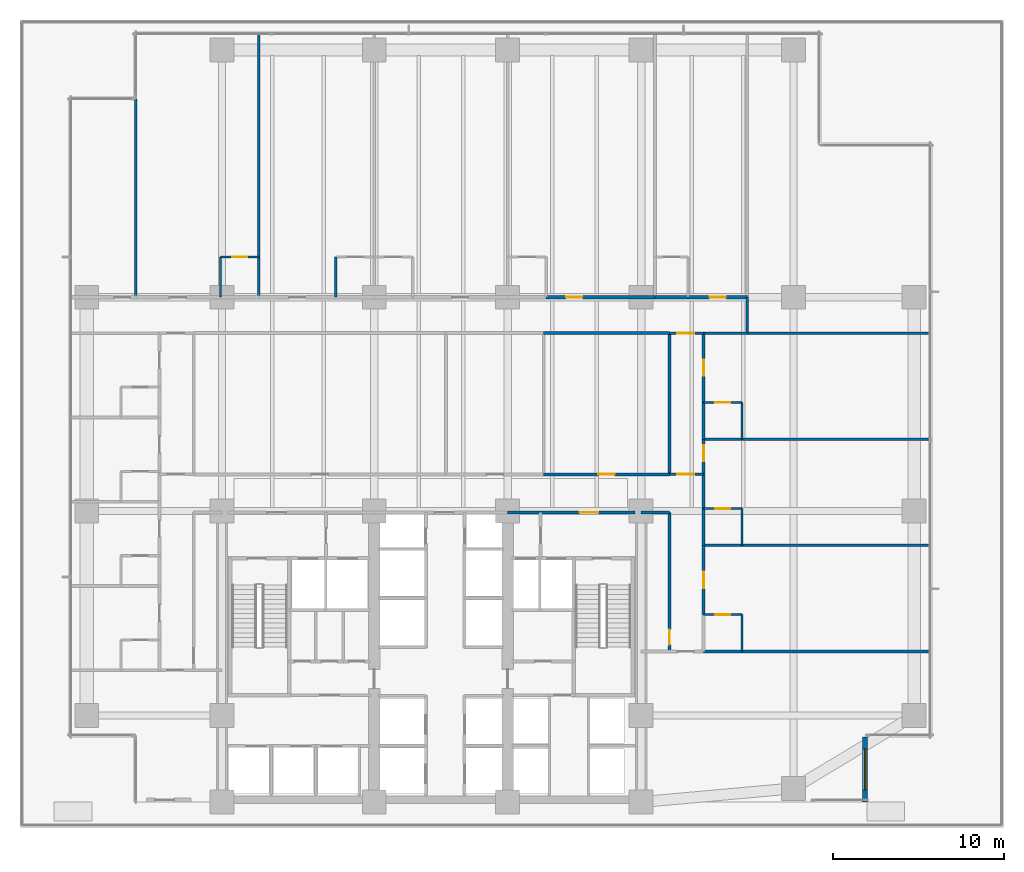
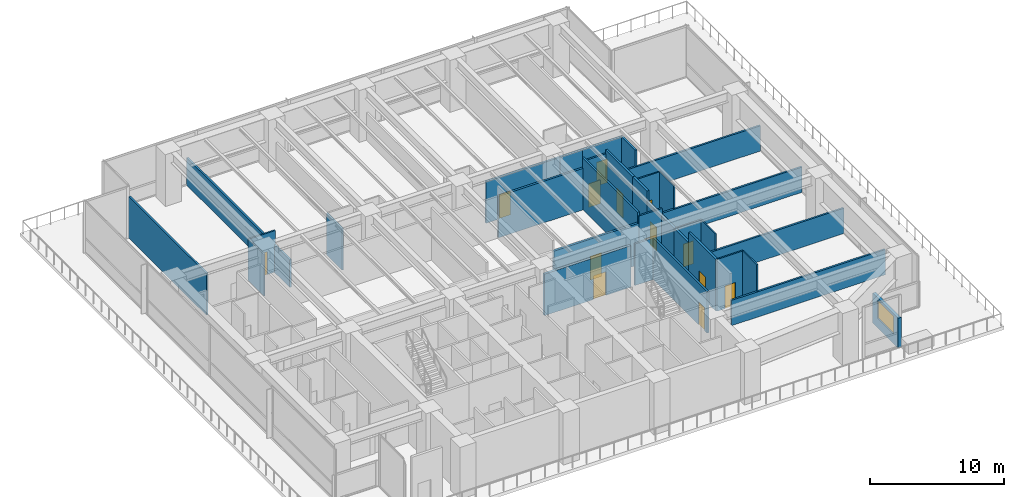
# One storey, part 10 of 19: 33 walls, 14 doors, 1 window, 15 openings.
"""IFC4 building model written with IfcOpenShell, lengths in metres."""

import ifcopenshell
import ifcopenshell.guid

model = None  # the IFC model being written
_history = None  # IfcOwnerHistory: only IFC2X3 demands one
_inside = {}  # id of a spatial element -> (the spatial element, [elements in it])
_under = {}  # id of a project, library or spatial element -> (it, [spatial elements below it])
_declared = {}  # id of a project -> (the project, [libraries it declares])
_typed = {}  # id of a type object -> (the type object, [elements of that type])
_made_of = {}  # id of a material, layer set ... -> (it, [elements and type objects made of it])


def new_model(schema):
    """Start an empty IFC model of exactly this schema.

    Asked for "IFC4X3", IfcOpenShell would pick the latest addendum, in which some entities
    have other attributes; the version numbers below select the first issue.
    IFC2X3 requires an IfcOwnerHistory on every rooted entity: one is made here for all.
    """
    global model, _history
    if schema == "IFC4X3":
        model = ifcopenshell.file(schema_version=(4, 3, 0, 0))
    else:
        model = ifcopenshell.file(schema=schema)
    _inside.clear()
    _under.clear()
    _declared.clear()
    _typed.clear()
    _made_of.clear()
    _history = None
    if model.schema == "IFC2X3":
        org = make("IfcOrganization", Name="unknown")
        user = make(
            "IfcPersonAndOrganization",
            ThePerson=make("IfcPerson", FamilyName="unknown"),
            TheOrganization=org,
        )
        app = make(
            "IfcApplication",
            ApplicationDeveloper=org,
            Version="unknown",
            ApplicationFullName="unknown",
            ApplicationIdentifier="unknown",
        )
        _history = make(
            "IfcOwnerHistory",
            OwningUser=user,
            OwningApplication=app,
            ChangeAction="ADDED",
            CreationDate=0,
        )
    return model


def make(cls, **values):
    """One entity of the class cls with the attributes given. An attribute that is None is left unset."""
    return model.create_entity(
        cls, **{name: value for name, value in values.items() if value is not None}
    )


def rooted(cls, **values):
    """An entity with a GlobalId (a new one), such as an element, a storey or a relation."""
    return make(cls, GlobalId=ifcopenshell.guid.new(), OwnerHistory=_history, **values)


def si_unit(unit_type, name, prefix=None):
    """IfcSIUnit, for example si_unit("LENGTHUNIT", "METRE", prefix="MILLI")."""
    return make("IfcSIUnit", UnitType=unit_type, Prefix=prefix, Name=name)


def assignment(units):
    """IfcUnitAssignment: the units of a project."""
    return None if units is None else make("IfcUnitAssignment", Units=units)


def point(xyz):
    """IfcCartesianPoint."""
    return None if xyz is None else make("IfcCartesianPoint", Coordinates=xyz)


def direction(xyz):
    """IfcDirection."""
    return None if xyz is None else make("IfcDirection", DirectionRatios=xyz)


def frame(location, z_axis=None, x_axis=None):
    """IfcAxis2Placement3D, a coordinate frame: its origin and axes. An axis left out is left unset."""
    return make(
        "IfcAxis2Placement3D",
        Location=point(location),
        Axis=direction(z_axis),
        RefDirection=direction(x_axis),
    )


def frame_2d(location, x_axis=None):
    """IfcAxis2Placement2D, a coordinate frame in the plane: its origin and x axis."""
    return make(
        "IfcAxis2Placement2D", Location=point(location), RefDirection=direction(x_axis)
    )


def origin():
    """The frame at (0, 0, 0) with its axes left unset."""
    return frame((0.0, 0.0, 0.0))


def place(relative_to, where):
    """IfcLocalPlacement: puts the frame where relative to a parent placement (None: the world)."""
    return make(
        "IfcLocalPlacement", PlacementRelTo=relative_to, RelativePlacement=where
    )


def context(
    kind, dimensions, precision=None, world=None, true_north=None, identifier=None
):
    """IfcGeometricRepresentationContext, for example the 3D "Model" context."""
    return make(
        "IfcGeometricRepresentationContext",
        ContextIdentifier=identifier,
        ContextType=kind,
        CoordinateSpaceDimension=dimensions,
        Precision=precision,
        WorldCoordinateSystem=world,
        TrueNorth=true_north,
    )


def subcontext(parent, identifier, kind, view, scale=None):
    """IfcGeometricRepresentationSubContext, for example "Body" below "Model"."""
    return make(
        "IfcGeometricRepresentationSubContext",
        ContextIdentifier=identifier,
        ContextType=kind,
        ParentContext=parent,
        TargetScale=scale,
        TargetView=view,
    )


def project(units=None, contexts=None):
    """IfcProject with its units and contexts."""
    return rooted(
        "IfcProject",
        Name="project",
        RepresentationContexts=contexts,
        UnitsInContext=assignment(units),
    )


def spatial(cls, under=None, at=None, **own):
    """A site, building, storey or space (cls), placed at a placement, below another one or the project."""
    s = rooted(cls, ObjectPlacement=at, **own)
    if under is not None:
        _under.setdefault(under.id(), (under, []))[1].append(s)
    return s


def profile(cls, at=None, kind="AREA", **sizes):
    """A parametric profile (cls). Its sizes go by their IFC names, for example OverallWidth=200.0."""
    return make(cls, ProfileType=kind, Position=at, **sizes)


def rectangle(**sizes):
    """IfcRectangleProfileDef."""
    return profile("IfcRectangleProfileDef", **sizes)


def extrude(swept, where, along, depth):
    """IfcExtrudedAreaSolid: the profile swept, set in the frame where, extruded along a direction by depth."""
    return make(
        "IfcExtrudedAreaSolid",
        SweptArea=swept,
        Position=where,
        ExtrudedDirection=direction(along),
        Depth=depth,
    )


def shape(context_of_items, identifier, shape_type, items):
    """IfcShapeRepresentation: the items that make up one representation, for example the "Body"."""
    return make(
        "IfcShapeRepresentation",
        ContextOfItems=context_of_items,
        RepresentationIdentifier=identifier,
        RepresentationType=shape_type,
        Items=items,
    )


def material(Name=None, Category=None):
    """IfcMaterial."""
    return make("IfcMaterial", Name=Name, Category=Category)


def layer(
    of_material, thickness, ventilated=None, Name=None, Category=None, Priority=None
):
    """IfcMaterialLayer: one layer of a wall or slab, of a material (None: an air gap)."""
    return make(
        "IfcMaterialLayer",
        Material=of_material,
        LayerThickness=thickness,
        IsVentilated=ventilated,
        Name=Name,
        Category=Category,
        Priority=Priority,
    )


def layer_set(layers, Name=None):
    """IfcMaterialLayerSet."""
    return make("IfcMaterialLayerSet", MaterialLayers=layers, LayerSetName=Name)


def made_of(thing, what):
    """Note that an element or type object is made of a material, layer set ...; save() writes the relation."""
    if what is not None:
        _made_of.setdefault(what.id(), (what, []))[1].append(thing)
    return thing


def type_object(cls, material=None, **own):
    """A type object (cls), such as IfcWallType, which elements share."""
    return made_of(rooted(cls, **own), material)


def element(
    cls,
    number,
    at=None,
    inside=None,
    cuts=None,
    type_object=None,
    material=None,
    context=None,
    identifier="Body",
    shape_type=None,
    held_by="IfcProductDefinitionShape",
    body=None,
    shapes=None,
    **own,
):
    """One element of the class cls, such as IfcWall. Its Tag is "e" and its number.

    at: its placement. inside: the storey or other place that contains it. cuts: it is an
    opening in that element (IfcRelVoidsElement). A single representation is given by context,
    identifier, shape_type and body (its items); several are given by shapes. held_by: the class
    of the entity that holds the representations. save() writes the other relations.
    """
    e = rooted(cls, Tag="e%d" % number, ObjectPlacement=at, **own)
    if body is not None:
        shapes = [shape(context, identifier, shape_type, body)]
    if shapes is not None:
        e.Representation = make(held_by, Representations=shapes)
    if inside is not None:
        _inside.setdefault(inside.id(), (inside, []))[1].append(e)
    if cuts is not None:
        rooted(
            "IfcRelVoidsElement", RelatingBuildingElement=cuts, RelatedOpeningElement=e
        )
    if type_object is not None:
        _typed.setdefault(type_object.id(), (type_object, []))[1].append(e)
    return made_of(e, material)


def fill(opening, filler):
    """IfcRelFillsElement: the door or window that sits in an opening."""
    return rooted(
        "IfcRelFillsElement",
        RelatingOpeningElement=opening,
        RelatedBuildingElement=filler,
    )


def aggregate(whole, parts):
    """IfcRelAggregates: a whole, such as a stair, and the parts it consists of."""
    return rooted("IfcRelAggregates", RelatingObject=whole, RelatedObjects=parts)


def save(model, path):
    """Write the relations noted so far, then the file.

    IfcRelAggregates (storeys below a building ...), IfcRelContainedInSpatialStructure (elements
    in a storey), IfcRelDefinesByType, IfcRelAssociatesMaterial and IfcRelDeclares: one each for
    every whole, place, type object, material and project.
    """
    for whole, parts in _under.values():
        aggregate(whole, parts)
    for where, things in _inside.values():
        rooted(
            "IfcRelContainedInSpatialStructure",
            RelatedElements=things,
            RelatingStructure=where,
        )
    for kind, things in _typed.values():
        rooted("IfcRelDefinesByType", RelatedObjects=things, RelatingType=kind)
    for what, things in _made_of.values():
        rooted("IfcRelAssociatesMaterial", RelatedObjects=things, RelatingMaterial=what)
    for by, libraries in _declared.values():
        rooted("IfcRelDeclares", RelatingContext=by, RelatedDefinitions=libraries)
    model.write(path)


model = new_model("IFC4")

# Units and contexts
model_context = context("Model", 3, precision=1e-05, world=origin(), true_north=direction((0.0, 1.0)))
body_context = subcontext(model_context, "Body", "Model", "MODEL_VIEW")
ifc_project = project(units=[si_unit("LENGTHUNIT", "METRE"), si_unit("AREAUNIT", "SQUARE_METRE"), si_unit("VOLUMEUNIT", "CUBIC_METRE"), si_unit("PLANEANGLEUNIT", "RADIAN"), si_unit("MASSUNIT", "GRAM", prefix="KILO")], contexts=[model_context])

# Site, building, storey
site_placement = place(None, origin())
site = spatial("IfcSite", under=ifc_project, at=site_placement, CompositionType="ELEMENT")
building_placement = place(site_placement, origin())
building = spatial("IfcBuilding", under=site, at=building_placement, Name="Qalmaran Belvedere Hotel", CompositionType="ELEMENT")
storey_placement = place(building_placement, frame((0.0, 0.0, 28.39990234375)))
storey = spatial("IfcBuildingStorey", under=building, at=storey_placement, Name="L06", CompositionType="ELEMENT", Elevation=28.39990234375)

# Wall, opening, window
ifc_material_1 = material(Name="Anodised Bronze Cladding")
ifc_layer_1 = layer(ifc_material_1, 0.280029296875, Name="Anodised Bronze Cladding")
ifc_layer_set_1 = layer_set([ifc_layer_1], Name="Anodised Bronze Cladding")
wall_type_1 = type_object("IfcWallType", Name="WL-EXT-BRNZ-280", PredefinedType="SOLIDWALL", material=ifc_layer_set_1)
wall_1_placement = place(storey_placement, frame((57.8798828125, 3.5, 0.0), z_axis=(0.0, 0.0, 1.0), x_axis=(0.0, 1.0, 0.0)))
wall_1 = element("IfcWall", 1, at=wall_1_placement, inside=storey, type_object=wall_type_1, Name="L06 Corner Notch Wall 1", PredefinedType="SOLIDWALL", context=body_context, shape_type="SweptSolid", body=[
    extrude(rectangle(XDim=3.800048828125, YDim=0.280029296875, at=frame_2d((1.89990234375, 0.0))), origin(), (0.0, 0.0, 1.0), 2.705078125),
])
opening_1_placement = place(wall_1_placement, frame((0.699951171875, 0.0, 0.85009765625)))
opening_1 = element("IfcOpeningElement", 2, at=opening_1_placement, cuts=wall_1, Name="Opening W-N24", PredefinedType="OPENING", context=body_context, shape_type="SweptSolid", body=[
    extrude(rectangle(XDim=2.39990234375, YDim=1.64990234375, at=frame_2d((1.199951171875, 0.824951171875))), frame((0.0, 0.14990234375, 0.0), z_axis=(0.0, -1.0, 0.0), x_axis=(1.0, 0.0, 0.0)), (0.0, 0.0, 1.0), 0.300048828125),
])
ifc_material_2 = material(Name="Solar-Control Double Glazing", Category="glass")
window_type = type_object("IfcWindowType", Name="WN-NTC-2400X1650", PartitioningType="SINGLE_PANEL", PredefinedType="WINDOW", material=ifc_material_2)
window_placement = place(opening_1_placement, origin())
window = element("IfcWindow", 3, at=window_placement, inside=storey, type_object=window_type, Name="L06 Corner Notch Window 1", OverallHeight=1.64990234375, OverallWidth=2.39990234375, PartitioningType="SINGLE_PANEL", PredefinedType="WINDOW", context=body_context, shape_type="SweptSolid", body=[
    extrude(rectangle(XDim=2.39990234375, YDim=1.64990234375, at=frame_2d((1.199951171875, 0.824951171875))), frame((0.0, 0.030029296875, 0.0), z_axis=(0.0, -1.0, 0.0), x_axis=(1.0, 0.0, 0.0)), (0.0, 0.0, 1.0), 0.06005859375),
])
fill(opening_1, window)

# Wall, opening, door
ifc_material_3 = material(Name="Moisture-Resistant Gypsum")
ifc_layer_2 = layer(ifc_material_3, 0.1201171875, Name="Moisture-Resistant Gypsum")
ifc_layer_set_2 = layer_set([ifc_layer_2], Name="Moisture-Resistant Gypsum")
wall_type_2 = type_object("IfcWallType", Name="WL-INT-120-BATH", PredefinedType="PARTITIONING", material=ifc_layer_set_2)
wall_2_placement = place(storey_placement, frame((20.203857421875, 35.35009765625, 0.0), z_axis=(0.0, 0.0, 1.0), x_axis=(1.0, 0.0, 0.0)))
wall_2 = element("IfcWall", 4, at=wall_2_placement, inside=storey, type_object=wall_type_2, Name="L06 Partition WL-L06-NBN00", PredefinedType="PARTITIONING", context=body_context, shape_type="SweptSolid", body=[
    extrude(rectangle(XDim=2.25, YDim=0.1201171875, at=frame_2d((1.125, 0.0))), origin(), (0.0, 0.0, 1.0), 3.7841796875),
])
opening_2_placement = place(wall_2_placement, frame((1.56494140625, 0.0, 0.0), z_axis=(0.0, 0.0, 1.0), x_axis=(-1.0, 0.0, 0.0)))
opening_2 = element("IfcOpeningElement", 5, at=opening_2_placement, cuts=wall_2, Name="Opening D-BATH", PredefinedType="OPENING", context=body_context, shape_type="SweptSolid", body=[
    extrude(rectangle(XDim=0.8798828125, YDim=2.080078125, at=frame_2d((0.43994140625, 1.0400390625))), frame((0.0, 0.070068359375, 0.0), z_axis=(0.0, -1.0, 0.0), x_axis=(1.0, 0.0, 0.0)), (0.0, 0.0, 1.0), 0.14013671875),
])
ifc_material_4 = material(Name="Engineered Oak Veneer")
door_type_1 = type_object("IfcDoorType", Name="DR-INT-BATH-880X2080", OperationType="NOTDEFINED", PredefinedType="DOOR", material=ifc_material_4)
door_1_placement = place(opening_2_placement, origin())
door_1 = element("IfcDoor", 6, at=door_1_placement, inside=storey, type_object=door_type_1, Name="L06 Ensuite Bathroom Door N01", OperationType="SINGLE_SWING_LEFT", OverallHeight=2.080078125, OverallWidth=0.8798828125, PredefinedType="DOOR", context=body_context, shape_type="SweptSolid", body=[
    extrude(rectangle(XDim=0.8798828125, YDim=2.080078125, at=frame_2d((0.43994140625, 1.0400390625))), frame((0.0, 0.02490234375, 0.0), z_axis=(0.0, -1.0, 0.0), x_axis=(1.0, 0.0, 0.0)), (0.0, 0.0, 1.0), 0.050048828125),
])
fill(opening_2, door_1)

# Walls
for number, where, z_axis, x_axis, name in (
    (7, (20.203857421875, 33.0, 0.0), (0.0, 0.0, 1.0), (0.0, 1.0, 0.0), "L06 Partition WL-L06-NBS00"),
    (8, (26.949951171875, 33.0, 0.0), (0.0, 0.0, 1.0), (0.0, 1.0, 0.0), "L06 Partition WL-L06-NBS01"),
):
    element("IfcWall", number, at=place(storey_placement, frame(where, z_axis=z_axis, x_axis=x_axis)), inside=storey, type_object=wall_type_2, Name=name, PredefinedType="PARTITIONING", context=body_context, shape_type="SweptSolid", body=[
        extrude(rectangle(XDim=2.35009765625, YDim=0.1201171875, at=frame_2d((1.175048828125, 0.0))), origin(), (0.0, 0.0, 1.0), 3.7841796875),
    ])

# Wall, opening, door
wall_3_placement = place(storey_placement, frame((48.449951171875, 14.449951171875, 0.0), z_axis=(0.0, 0.0, 1.0), x_axis=(1.0, 0.0, 0.0)))
wall_3 = element("IfcWall", 9, at=wall_3_placement, inside=storey, type_object=wall_type_2, Name="L06 Partition WL-L06-EBN00", PredefinedType="PARTITIONING", context=body_context, shape_type="SweptSolid", body=[
    extrude(rectangle(XDim=2.25, YDim=0.1201171875, at=frame_2d((1.125, 0.0))), origin(), (0.0, 0.0, 1.0), 4.72021484375),
])
opening_3_placement = place(wall_3_placement, frame((1.56494140625, 0.0, 0.0), z_axis=(0.0, 0.0, 1.0), x_axis=(-1.0, 0.0, 0.0)))
opening_3 = element("IfcOpeningElement", 10, at=opening_3_placement, cuts=wall_3, Name="Opening D-BATH", PredefinedType="OPENING", context=body_context, shape_type="SweptSolid", body=[
    extrude(rectangle(XDim=0.8798828125, YDim=2.080078125, at=frame_2d((0.43994140625, 1.0400390625))), frame((0.0, 0.070068359375, 0.0), z_axis=(0.0, -1.0, 0.0), x_axis=(1.0, 0.0, 0.0)), (0.0, 0.0, 1.0), 0.14013671875),
])
door_2_placement = place(opening_3_placement, origin())
door_2 = element("IfcDoor", 11, at=door_2_placement, inside=storey, type_object=door_type_1, Name="L06 E Ensuite Door 01", OperationType="SINGLE_SWING_LEFT", OverallHeight=2.080078125, OverallWidth=0.8798828125, PredefinedType="DOOR", context=body_context, shape_type="SweptSolid", body=[
    extrude(rectangle(XDim=0.8798828125, YDim=2.080078125, at=frame_2d((0.43994140625, 1.0400390625))), frame((0.0, 0.02490234375, 0.0), z_axis=(0.0, -1.0, 0.0), x_axis=(1.0, 0.0, 0.0)), (0.0, 0.0, 1.0), 0.050048828125),
])
fill(opening_3, door_2)

# Wall
wall_4_placement = place(storey_placement, frame((50.699951171875, 12.300048828125, 0.0), z_axis=(0.0, 0.0, 1.0), x_axis=(0.0, 1.0, 0.0)))
element("IfcWall", 12, at=wall_4_placement, inside=storey, type_object=wall_type_2, Name="L06 Partition WL-L06-EBS00", PredefinedType="PARTITIONING", context=body_context, shape_type="SweptSolid", body=[
    extrude(rectangle(XDim=2.14990234375, YDim=0.1201171875, at=frame_2d((1.074951171875, 0.0))), origin(), (0.0, 0.0, 1.0), 4.72021484375),
])

# Wall, opening, door
wall_5_placement = place(storey_placement, frame((48.449951171875, 20.64990234375, 0.0), z_axis=(0.0, 0.0, 1.0), x_axis=(1.0, 0.0, 0.0)))
wall_5 = element("IfcWall", 13, at=wall_5_placement, inside=storey, type_object=wall_type_2, Name="L06 Partition WL-L06-EBN01", PredefinedType="PARTITIONING", context=body_context, shape_type="SweptSolid", body=[
    extrude(rectangle(XDim=2.25, YDim=0.1201171875, at=frame_2d((1.125, 0.0))), origin(), (0.0, 0.0, 1.0), 3.7841796875),
])
opening_4_placement = place(wall_5_placement, frame((1.56494140625, 0.0, 0.0), z_axis=(0.0, 0.0, 1.0), x_axis=(-1.0, 0.0, 0.0)))
opening_4 = element("IfcOpeningElement", 14, at=opening_4_placement, cuts=wall_5, Name="Opening D-BATH", PredefinedType="OPENING", context=body_context, shape_type="SweptSolid", body=[
    extrude(rectangle(XDim=0.8798828125, YDim=2.080078125, at=frame_2d((0.43994140625, 1.0400390625))), frame((0.0, 0.070068359375, 0.0), z_axis=(0.0, -1.0, 0.0), x_axis=(1.0, 0.0, 0.0)), (0.0, 0.0, 1.0), 0.14013671875),
])
door_3_placement = place(opening_4_placement, origin())
door_3 = element("IfcDoor", 15, at=door_3_placement, inside=storey, type_object=door_type_1, Name="L06 E Ensuite Door 02", OperationType="SINGLE_SWING_LEFT", OverallHeight=2.080078125, OverallWidth=0.8798828125, PredefinedType="DOOR", context=body_context, shape_type="SweptSolid", body=[
    extrude(rectangle(XDim=0.8798828125, YDim=2.080078125, at=frame_2d((0.43994140625, 1.0400390625))), frame((0.0, 0.02490234375, 0.0), z_axis=(0.0, -1.0, 0.0), x_axis=(1.0, 0.0, 0.0)), (0.0, 0.0, 1.0), 0.050048828125),
])
fill(opening_4, door_3)

# Wall
wall_6_placement = place(storey_placement, frame((50.699951171875, 18.5, 0.0), z_axis=(0.0, 0.0, 1.0), x_axis=(0.0, 1.0, 0.0)))
element("IfcWall", 16, at=wall_6_placement, inside=storey, type_object=wall_type_2, Name="L06 Partition WL-L06-EBS01", PredefinedType="PARTITIONING", context=body_context, shape_type="SweptSolid", body=[
    extrude(rectangle(XDim=2.14990234375, YDim=0.1201171875, at=frame_2d((1.074951171875, 0.0))), origin(), (0.0, 0.0, 1.0), 3.7841796875),
])

# Wall, opening, door
wall_7_placement = place(storey_placement, frame((48.449951171875, 26.85009765625, 0.0), z_axis=(0.0, 0.0, 1.0), x_axis=(1.0, 0.0, 0.0)))
wall_7 = element("IfcWall", 17, at=wall_7_placement, inside=storey, type_object=wall_type_2, Name="L06 Partition WL-L06-EBN02", PredefinedType="PARTITIONING", context=body_context, shape_type="SweptSolid", body=[
    extrude(rectangle(XDim=2.25, YDim=0.1201171875, at=frame_2d((1.125, 0.0))), origin(), (0.0, 0.0, 1.0), 4.402099609375),
])
opening_5_placement = place(wall_7_placement, frame((1.56494140625, 0.0, 0.0), z_axis=(0.0, 0.0, 1.0), x_axis=(-1.0, 0.0, 0.0)))
opening_5 = element("IfcOpeningElement", 18, at=opening_5_placement, cuts=wall_7, Name="Opening D-BATH", PredefinedType="OPENING", context=body_context, shape_type="SweptSolid", body=[
    extrude(rectangle(XDim=0.8798828125, YDim=2.080078125, at=frame_2d((0.43994140625, 1.0400390625))), frame((0.0, 0.070068359375, 0.0), z_axis=(0.0, -1.0, 0.0), x_axis=(1.0, 0.0, 0.0)), (0.0, 0.0, 1.0), 0.14013671875),
])
door_4_placement = place(opening_5_placement, origin())
door_4 = element("IfcDoor", 19, at=door_4_placement, inside=storey, type_object=door_type_1, Name="L06 E Ensuite Door 03", OperationType="SINGLE_SWING_LEFT", OverallHeight=2.080078125, OverallWidth=0.8798828125, PredefinedType="DOOR", context=body_context, shape_type="SweptSolid", body=[
    extrude(rectangle(XDim=0.8798828125, YDim=2.080078125, at=frame_2d((0.43994140625, 1.0400390625))), frame((0.0, 0.02490234375, 0.0), z_axis=(0.0, -1.0, 0.0), x_axis=(1.0, 0.0, 0.0)), (0.0, 0.0, 1.0), 0.050048828125),
])
fill(opening_5, door_4)

# Wall
wall_8_placement = place(storey_placement, frame((50.699951171875, 24.699951171875, 0.0), z_axis=(0.0, 0.0, 1.0), x_axis=(0.0, 1.0, 0.0)))
element("IfcWall", 20, at=wall_8_placement, inside=storey, type_object=wall_type_2, Name="L06 Partition WL-L06-EBS02", PredefinedType="PARTITIONING", context=body_context, shape_type="SweptSolid", body=[
    extrude(rectangle(XDim=2.150146484375, YDim=0.1201171875, at=frame_2d((1.0751953125, 0.0))), origin(), (0.0, 0.0, 1.0), 4.402099609375),
])

# Wall, opening, door
ifc_material_5 = material(Name="Gypsum Stud Partition")
ifc_layer_3 = layer(ifc_material_5, 0.14990234375, Name="Gypsum Stud Partition")
ifc_layer_set_3 = layer_set([ifc_layer_3], Name="Gypsum Stud Partition")
wall_type_3 = type_object("IfcWallType", Name="WL-INT-150-EI60", PredefinedType="PARTITIONING", material=ifc_layer_set_3)
wall_9_placement = place(storey_placement, frame((46.449951171875, 22.64990234375, 0.0), z_axis=(0.0, 0.0, 1.0), x_axis=(1.0, 0.0, 0.0)))
wall_9 = element("IfcWall", 21, at=wall_9_placement, inside=storey, type_object=wall_type_3, Name="L06 Partition WL-L06-XCE1", PredefinedType="PARTITIONING", context=body_context, shape_type="SweptSolid", body=[
    extrude(rectangle(XDim=2.0, YDim=0.14990234375, at=frame_2d((1.0, 0.0))), origin(), (0.0, 0.0, 1.0), 4.402099609375),
])
opening_6_placement = place(wall_9_placement, frame((0.449951171875, 0.0, 0.0)))
opening_6 = element("IfcOpeningElement", 22, at=opening_6_placement, cuts=wall_9, Name="Opening FD90B", PredefinedType="OPENING", context=body_context, shape_type="SweptSolid", body=[
    extrude(rectangle(XDim=1.0, YDim=2.14990234375, at=frame_2d((0.5, 1.074951171875))), frame((0.0, 0.0849609375, 0.0), z_axis=(0.0, -1.0, 0.0), x_axis=(1.0, 0.0, 0.0)), (0.0, 0.0, 1.0), 0.169921875),
])
ifc_material_6 = material(Name="Steel S355JR", Category="steel")
door_type_2 = type_object("IfcDoorType", Name="DR-FD90B-1000X2150", OperationType="NOTDEFINED", PredefinedType="DOOR", material=ifc_material_6)
door_5_placement = place(opening_6_placement, origin())
door_5 = element("IfcDoor", 23, at=door_5_placement, inside=storey, type_object=door_type_2, Name="L06 East Corridor Smoke Door S", OperationType="SINGLE_SWING_RIGHT", OverallHeight=2.14990234375, OverallWidth=1.0, PredefinedType="DOOR", context=body_context, shape_type="SweptSolid", body=[
    extrude(rectangle(XDim=1.0, YDim=2.14990234375, at=frame_2d((0.5, 1.074951171875))), frame((0.0, 0.02490234375, 0.0), z_axis=(0.0, -1.0, 0.0), x_axis=(1.0, 0.0, 0.0)), (0.0, 0.0, 1.0), 0.050048828125),
])
fill(opening_6, door_5)

wall_10_placement = place(storey_placement, frame((46.449951171875, 30.89990234375, 0.0), z_axis=(0.0, 0.0, 1.0), x_axis=(1.0, 0.0, 0.0)))
wall_10 = element("IfcWall", 24, at=wall_10_placement, inside=storey, type_object=wall_type_3, Name="L06 Partition WL-L06-XCE2", PredefinedType="PARTITIONING", context=body_context, shape_type="SweptSolid", body=[
    extrude(rectangle(XDim=2.0, YDim=0.14990234375, at=frame_2d((1.0, 0.0))), origin(), (0.0, 0.0, 1.0), 4.402099609375),
])
opening_7_placement = place(wall_10_placement, frame((0.449951171875, 0.0, 0.0)))
opening_7 = element("IfcOpeningElement", 25, at=opening_7_placement, cuts=wall_10, Name="Opening FD90B", PredefinedType="OPENING", context=body_context, shape_type="SweptSolid", body=[
    extrude(rectangle(XDim=1.0, YDim=2.14990234375, at=frame_2d((0.5, 1.074951171875))), frame((0.0, 0.0849609375, 0.0), z_axis=(0.0, -1.0, 0.0), x_axis=(1.0, 0.0, 0.0)), (0.0, 0.0, 1.0), 0.169921875),
])
door_6_placement = place(opening_7_placement, origin())
door_6 = element("IfcDoor", 26, at=door_6_placement, inside=storey, type_object=door_type_2, Name="L06 East Corridor Smoke Door N", OperationType="SINGLE_SWING_LEFT", OverallHeight=2.14990234375, OverallWidth=1.0, PredefinedType="DOOR", context=body_context, shape_type="SweptSolid", body=[
    extrude(rectangle(XDim=1.0, YDim=2.14990234375, at=frame_2d((0.5, 1.074951171875))), frame((0.0, 0.02490234375, 0.0), z_axis=(0.0, -1.0, 0.0), x_axis=(1.0, 0.0, 0.0)), (0.0, 0.0, 1.0), 0.050048828125),
])
fill(opening_7, door_6)

ifc_layer_4 = layer(ifc_material_5, 0.159912109375, Name="Gypsum Stud Partition")
ifc_layer_set_4 = layer_set([ifc_layer_4], Name="Gypsum Stud Partition")
wall_type_4 = type_object("IfcWallType", Name="WL-INT-160-EI60", PredefinedType="PARTITIONING", material=ifc_layer_set_4)
wall_11_placement = place(storey_placement, frame((46.449951171875, 12.300048828125, 0.0), z_axis=(0.0, 0.0, 1.0), x_axis=(0.0, 1.0, 0.0)))
wall_11 = element("IfcWall", 27, at=wall_11_placement, inside=storey, type_object=wall_type_4, Name="L06 Partition WL-L06-ECL", PredefinedType="PARTITIONING", context=body_context, shape_type="SweptSolid", body=[
    extrude(rectangle(XDim=8.119873046875, YDim=0.159912109375, at=frame_2d((4.06005859375, 0.0))), origin(), (0.0, 0.0, 1.0), 3.7841796875),
])
opening_8_placement = place(wall_11_placement, frame((0.39990234375, 0.0, 0.0)))
opening_8 = element("IfcOpeningElement", 28, at=opening_8_placement, cuts=wall_11, Name="Opening FD60B", PredefinedType="OPENING", context=body_context, shape_type="SweptSolid", body=[
    extrude(rectangle(XDim=0.8798828125, YDim=2.080078125, at=frame_2d((0.43994140625, 1.0400390625))), frame((0.0, 0.08984375, 0.0), z_axis=(0.0, -1.0, 0.0), x_axis=(1.0, 0.0, 0.0)), (0.0, 0.0, 1.0), 0.179931640625),
])
door_type_3 = type_object("IfcDoorType", Name="DR-FD60B-880X2080", OperationType="NOTDEFINED", PredefinedType="DOOR", material=ifc_material_6)
door_7_placement = place(opening_8_placement, origin())
door_7 = element("IfcDoor", 29, at=door_7_placement, inside=storey, type_object=door_type_3, Name="L06 East Closet Door", OperationType="SINGLE_SWING_LEFT", OverallHeight=2.080078125, OverallWidth=0.8798828125, PredefinedType="DOOR", context=body_context, shape_type="SweptSolid", body=[
    extrude(rectangle(XDim=0.8798828125, YDim=2.080078125, at=frame_2d((0.43994140625, 1.0400390625))), frame((0.0, 0.02490234375, 0.0), z_axis=(0.0, -1.0, 0.0), x_axis=(1.0, 0.0, 0.0)), (0.0, 0.0, 1.0), 0.050048828125),
])
fill(opening_8, door_7)

# Walls
wall_12_placement = place(storey_placement, frame((44.800048828125, 20.419921875, 0.0), z_axis=(0.0, 0.0, 1.0), x_axis=(1.0, 0.0, 0.0)))
element("IfcWall", 30, at=wall_12_placement, inside=storey, type_object=wall_type_4, Name="L06 Partition WL-L06-ECLN", PredefinedType="PARTITIONING", context=body_context, shape_type="SweptSolid", body=[
    extrude(rectangle(XDim=1.64990234375, YDim=0.159912109375, at=frame_2d((0.824951171875, 0.0))), origin(), (0.0, 0.0, 1.0), 3.7841796875),
])
wall_13_placement = place(storey_placement, frame((51.0, 30.89990234375, 0.0), z_axis=(0.0, 0.0, 1.0), x_axis=(0.0, 1.0, 0.0)))
element("IfcWall", 31, at=wall_13_placement, inside=storey, type_object=wall_type_4, Name="L06 Partition WL-L06-NCGE", PredefinedType="PARTITIONING", context=body_context, shape_type="SweptSolid", body=[
    extrude(rectangle(XDim=2.10009765625, YDim=0.159912109375, at=frame_2d((1.050048828125, 0.0))), origin(), (0.0, 0.0, 1.0), 3.7841796875),
])
wall_14_placement = place(storey_placement, frame((46.449951171875, 22.64990234375, 0.0), z_axis=(0.0, 0.0, 1.0), x_axis=(0.0, 1.0, 0.0)))
element("IfcWall", 32, at=wall_14_placement, inside=storey, type_object=wall_type_4, Name="L06 Partition WL-L06-MIDVR3", PredefinedType="PARTITIONING", context=body_context, shape_type="SweptSolid", body=[
    extrude(rectangle(XDim=8.25, YDim=0.159912109375, at=frame_2d((4.125, 0.0))), origin(), (0.0, 0.0, 1.0), 4.72021484375),
])
wall_15_placement = place(storey_placement, frame((15.27001953125, 33.0, 0.0), z_axis=(0.0, 0.0, 1.0), x_axis=(0.0, 1.0, 0.0)))
element("IfcWall", 33, at=wall_15_placement, inside=storey, type_object=wall_type_4, Name="L06 Partition WL-L06-NUL", PredefinedType="PARTITIONING", context=body_context, shape_type="SweptSolid", body=[
    extrude(rectangle(XDim=11.580078125, YDim=0.159912109375, at=frame_2d((5.7900390625, 0.0))), origin(), (0.0, 0.0, 1.0), 3.7841796875),
])
wall_16_placement = place(storey_placement, frame((22.453857421875, 33.0, 0.0), z_axis=(0.0, 0.0, 1.0), x_axis=(0.0, 1.0, 0.0)))
element("IfcWall", 34, at=wall_16_placement, inside=storey, type_object=wall_type_4, Name="L06 Partition WL-L06-NUR00", PredefinedType="PARTITIONING", context=body_context, shape_type="SweptSolid", body=[
    extrude(rectangle(XDim=15.3798828125, YDim=0.159912109375, at=frame_2d((7.68994140625, 0.0))), origin(), (0.0, 0.0, 1.0), 2.505126953125),
])
for number, where, z_axis, x_axis, name in (
    (35, (48.449951171875, 12.300048828125, 0.0), (0.0, 0.0, 1.0), (1.0, 0.0, 0.0), "L06 Partition WL-L06-EBOT"),
    (36, (48.449951171875, 18.5, 0.0), (0.0, 0.0, 1.0), (1.0, 0.0, 0.0), "L06 Partition WL-L06-EU00"),
    (37, (48.449951171875, 24.699951171875, 0.0), (0.0, 0.0, 1.0), (1.0, 0.0, 0.0), "L06 Partition WL-L06-EU01"),
    (38, (48.449951171875, 30.89990234375, 0.0), (0.0, 0.0, 1.0), (1.0, 0.0, 0.0), "L06 Partition WL-L06-EU02"),
):
    element("IfcWall", number, at=place(storey_placement, frame(where, z_axis=z_axis, x_axis=x_axis)), inside=storey, type_object=wall_type_4, Name=name, PredefinedType="PARTITIONING", context=body_context, shape_type="SweptSolid", body=[
        extrude(rectangle(XDim=13.22998046875, YDim=0.159912109375, at=frame_2d((6.614990234375, 0.0))), origin(), (0.0, 0.0, 1.0), 2.30517578125),
    ])

# Wall, opening, door
ifc_layer_5 = layer(ifc_material_5, 0.179931640625, Name="Gypsum Stud Partition")
ifc_layer_set_5 = layer_set([ifc_layer_5], Name="Gypsum Stud Partition")
wall_type_5 = type_object("IfcWallType", Name="WL-INT-180-EI60", PredefinedType="PARTITIONING", material=ifc_layer_set_5)
wall_17_placement = place(storey_placement, frame((39.10009765625, 22.64990234375, 0.0), z_axis=(0.0, 0.0, 1.0), x_axis=(1.0, 0.0, 0.0)))
wall_17 = element("IfcWall", 39, at=wall_17_placement, inside=storey, type_object=wall_type_5, Name="L06 Partition WL-L06-MIDD3", PredefinedType="PARTITIONING", context=body_context, shape_type="SweptSolid", body=[
    extrude(rectangle(XDim=7.349853515625, YDim=0.179931640625, at=frame_2d((3.6748046875, 0.0))), origin(), (0.0, 0.0, 1.0), 3.7841796875),
])
opening_9_placement = place(wall_17_placement, frame((3.199951171875, 0.0, 0.0)))
opening_9 = element("IfcOpeningElement", 40, at=opening_9_placement, cuts=wall_17, Name="Opening FD60", PredefinedType="OPENING", context=body_context, shape_type="SweptSolid", body=[
    extrude(rectangle(XDim=0.949951171875, YDim=2.14990234375, at=frame_2d((0.47509765625, 1.074951171875))), frame((0.0, 0.10009765625, 0.0), z_axis=(0.0, -1.0, 0.0), x_axis=(1.0, 0.0, 0.0)), (0.0, 0.0, 1.0), 0.199951171875),
])
door_type_4 = type_object("IfcDoorType", Name="DR-FD60-950X2150", OperationType="NOTDEFINED", PredefinedType="DOOR", material=ifc_material_4)
door_8_placement = place(opening_9_placement, origin())
door_8 = element("IfcDoor", 41, at=door_8_placement, inside=storey, type_object=door_type_4, Name="L06 Reading Lounge Door", OperationType="SINGLE_SWING_RIGHT", OverallHeight=2.14990234375, OverallWidth=0.949951171875, PredefinedType="DOOR", context=body_context, shape_type="SweptSolid", body=[
    extrude(rectangle(XDim=0.949951171875, YDim=2.14990234375, at=frame_2d((0.47509765625, 1.074951171875))), frame((0.0, 0.02490234375, 0.0), z_axis=(0.0, -1.0, 0.0), x_axis=(1.0, 0.0, 0.0)), (0.0, 0.0, 1.0), 0.050048828125),
])
fill(opening_9, door_8)

# Wall
wall_18_placement = place(storey_placement, frame((39.10009765625, 30.89990234375, 0.0), z_axis=(0.0, 0.0, 1.0), x_axis=(1.0, 0.0, 0.0)))
element("IfcWall", 42, at=wall_18_placement, inside=storey, type_object=wall_type_5, Name="L06 Partition WL-L06-MIDO3", PredefinedType="PARTITIONING", context=body_context, shape_type="SweptSolid", body=[
    extrude(rectangle(XDim=7.349853515625, YDim=0.179931640625, at=frame_2d((3.6748046875, 0.0))), origin(), (0.0, 0.0, 1.0), 3.7841796875),
])

# Wall, opening, door
wall_19_placement = place(storey_placement, frame((39.25, 33.0, 0.0), z_axis=(0.0, 0.0, 1.0), x_axis=(1.0, 0.0, 0.0)))
wall_19 = element("IfcWall", 43, at=wall_19_placement, inside=storey, type_object=wall_type_5, Name="L06 Partition WL-L06-NEC03", PredefinedType="PARTITIONING", context=body_context, shape_type="SweptSolid", body=[
    extrude(rectangle(XDim=6.3515625, YDim=0.179931640625, at=frame_2d((3.17578125, 0.0))), origin(), (0.0, 0.0, 1.0), 3.7841796875),
])
opening_10_placement = place(wall_19_placement, frame((1.1650390625, 0.0, 0.0)))
opening_10 = element("IfcOpeningElement", 44, at=opening_10_placement, cuts=wall_19, Name="Opening FD60", PredefinedType="OPENING", context=body_context, shape_type="SweptSolid", body=[
    extrude(rectangle(XDim=0.949951171875, YDim=2.14990234375, at=frame_2d((0.47509765625, 1.074951171875))), frame((0.0, 0.10009765625, 0.0), z_axis=(0.0, -1.0, 0.0), x_axis=(1.0, 0.0, 0.0)), (0.0, 0.0, 1.0), 0.199951171875),
])
door_9_placement = place(opening_10_placement, origin())
door_9 = element("IfcDoor", 45, at=door_9_placement, inside=storey, type_object=door_type_4, Name="L06 Guest Entrance Door N04", OperationType="SINGLE_SWING_RIGHT", OverallHeight=2.14990234375, OverallWidth=0.949951171875, PredefinedType="DOOR", context=body_context, shape_type="SweptSolid", body=[
    extrude(rectangle(XDim=0.949951171875, YDim=2.14990234375, at=frame_2d((0.47509765625, 1.074951171875))), frame((0.0, 0.02490234375, 0.0), z_axis=(0.0, -1.0, 0.0), x_axis=(1.0, 0.0, 0.0)), (0.0, 0.0, 1.0), 0.050048828125),
])
fill(opening_10, door_9)

# Wall
wall_20_placement = place(storey_placement, frame((45.6015625, 33.0, 0.0), z_axis=(0.0, 0.0, 1.0), x_axis=(1.0, 0.0, 0.0)))
element("IfcWall", 46, at=wall_20_placement, inside=storey, type_object=wall_type_5, Name="L06 Partition WL-L06-NBC04", PredefinedType="PARTITIONING", context=body_context, shape_type="SweptSolid", body=[
    extrude(rectangle(XDim=1.93994140625, YDim=0.179931640625, at=frame_2d((0.969970703125, 0.0))), origin(), (0.0, 0.0, 1.0), 3.7841796875),
])

# Wall, opening, door
wall_21_placement = place(storey_placement, frame((47.54150390625, 33.0, 0.0), z_axis=(0.0, 0.0, 1.0), x_axis=(1.0, 0.0, 0.0)))
wall_21 = element("IfcWall", 47, at=wall_21_placement, inside=storey, type_object=wall_type_5, Name="L06 Partition WL-L06-NEC04", PredefinedType="PARTITIONING", context=body_context, shape_type="SweptSolid", body=[
    extrude(rectangle(XDim=3.45849609375, YDim=0.179931640625, at=frame_2d((1.729248046875, 0.0))), origin(), (0.0, 0.0, 1.0), 3.7841796875),
])
opening_11_placement = place(wall_21_placement, frame((1.254150390625, 0.0, 0.0)))
opening_11 = element("IfcOpeningElement", 48, at=opening_11_placement, cuts=wall_21, Name="Opening FD60", PredefinedType="OPENING", context=body_context, shape_type="SweptSolid", body=[
    extrude(rectangle(XDim=0.949951171875, YDim=2.14990234375, at=frame_2d((0.47509765625, 1.074951171875))), frame((0.0, 0.10009765625, 0.0), z_axis=(0.0, -1.0, 0.0), x_axis=(1.0, 0.0, 0.0)), (0.0, 0.0, 1.0), 0.199951171875),
])
door_10_placement = place(opening_11_placement, origin())
door_10 = element("IfcDoor", 49, at=door_10_placement, inside=storey, type_object=door_type_4, Name="L06 Guest Entrance Door N05", OperationType="SINGLE_SWING_RIGHT", OverallHeight=2.14990234375, OverallWidth=0.949951171875, PredefinedType="DOOR", context=body_context, shape_type="SweptSolid", body=[
    extrude(rectangle(XDim=0.949951171875, YDim=2.14990234375, at=frame_2d((0.47509765625, 1.074951171875))), frame((0.0, 0.02490234375, 0.0), z_axis=(0.0, -1.0, 0.0), x_axis=(1.0, 0.0, 0.0)), (0.0, 0.0, 1.0), 0.050048828125),
])
fill(opening_11, door_10)

wall_22_placement = place(storey_placement, frame((48.449951171875, 14.449951171875, 0.0), z_axis=(0.0, 0.0, 1.0), x_axis=(0.0, 1.0, 0.0)))
wall_22 = element("IfcWall", 50, at=wall_22_placement, inside=storey, type_object=wall_type_5, Name="L06 Partition WL-L06-EEC00", PredefinedType="PARTITIONING", context=body_context, shape_type="SweptSolid", body=[
    extrude(rectangle(XDim=4.050048828125, YDim=0.179931640625, at=frame_2d((2.02490234375, 0.0))), origin(), (0.0, 0.0, 1.0), 4.72021484375),
])
opening_12_placement = place(wall_22_placement, frame((2.5, 0.0, 0.0), z_axis=(0.0, 0.0, 1.0), x_axis=(-1.0, 0.0, 0.0)))
opening_12 = element("IfcOpeningElement", 51, at=opening_12_placement, cuts=wall_22, Name="Opening FD60", PredefinedType="OPENING", context=body_context, shape_type="SweptSolid", body=[
    extrude(rectangle(XDim=0.949951171875, YDim=2.14990234375, at=frame_2d((0.47509765625, 1.074951171875))), frame((0.0, 0.10009765625, 0.0), z_axis=(0.0, -1.0, 0.0), x_axis=(1.0, 0.0, 0.0)), (0.0, 0.0, 1.0), 0.199951171875),
])
door_11_placement = place(opening_12_placement, origin())
door_11 = element("IfcDoor", 52, at=door_11_placement, inside=storey, type_object=door_type_4, Name="L06 E Wing Door 01", OperationType="SINGLE_SWING_RIGHT", OverallHeight=2.14990234375, OverallWidth=0.949951171875, PredefinedType="DOOR", context=body_context, shape_type="SweptSolid", body=[
    extrude(rectangle(XDim=0.949951171875, YDim=2.14990234375, at=frame_2d((0.47509765625, 1.074951171875))), frame((0.0, 0.02490234375, 0.0), z_axis=(0.0, -1.0, 0.0), x_axis=(1.0, 0.0, 0.0)), (0.0, 0.0, 1.0), 0.050048828125),
])
fill(opening_12, door_11)

# Wall
wall_23_placement = place(storey_placement, frame((48.449951171875, 18.5, 0.0), z_axis=(0.0, 0.0, 1.0), x_axis=(0.0, 1.0, 0.0)))
element("IfcWall", 53, at=wall_23_placement, inside=storey, type_object=wall_type_5, Name="L06 Partition WL-L06-EBC01", PredefinedType="PARTITIONING", context=body_context, shape_type="SweptSolid", body=[
    extrude(rectangle(XDim=2.14990234375, YDim=0.179931640625, at=frame_2d((1.074951171875, 0.0))), origin(), (0.0, 0.0, 1.0), 3.7841796875),
])

# Wall, opening, door
wall_24_placement = place(storey_placement, frame((48.449951171875, 20.64990234375, 0.0), z_axis=(0.0, 0.0, 1.0), x_axis=(0.0, 1.0, 0.0)))
wall_24 = element("IfcWall", 54, at=wall_24_placement, inside=storey, type_object=wall_type_5, Name="L06 Partition WL-L06-EEC01", PredefinedType="PARTITIONING", context=body_context, shape_type="SweptSolid", body=[
    extrude(rectangle(XDim=4.050048828125, YDim=0.179931640625, at=frame_2d((2.02490234375, 0.0))), origin(), (0.0, 0.0, 1.0), 3.7841796875),
])
opening_13_placement = place(wall_24_placement, frame((3.71435546875, 0.0, 0.0), z_axis=(0.0, 0.0, 1.0), x_axis=(-1.0, 0.0, 0.0)))
opening_13 = element("IfcOpeningElement", 55, at=opening_13_placement, cuts=wall_24, Name="Opening FD60", PredefinedType="OPENING", context=body_context, shape_type="SweptSolid", body=[
    extrude(rectangle(XDim=0.949951171875, YDim=2.14990234375, at=frame_2d((0.47509765625, 1.074951171875))), frame((0.0, 0.10009765625, 0.0), z_axis=(0.0, -1.0, 0.0), x_axis=(1.0, 0.0, 0.0)), (0.0, 0.0, 1.0), 0.199951171875),
])
door_12_placement = place(opening_13_placement, origin())
door_12 = element("IfcDoor", 56, at=door_12_placement, inside=storey, type_object=door_type_4, Name="L06 E Wing Door 02", OperationType="SINGLE_SWING_RIGHT", OverallHeight=2.14990234375, OverallWidth=0.949951171875, PredefinedType="DOOR", context=body_context, shape_type="SweptSolid", body=[
    extrude(rectangle(XDim=0.949951171875, YDim=2.14990234375, at=frame_2d((0.47509765625, 1.074951171875))), frame((0.0, 0.02490234375, 0.0), z_axis=(0.0, -1.0, 0.0), x_axis=(1.0, 0.0, 0.0)), (0.0, 0.0, 1.0), 0.050048828125),
])
fill(opening_13, door_12)

# Wall
wall_25_placement = place(storey_placement, frame((48.449951171875, 24.699951171875, 0.0), z_axis=(0.0, 0.0, 1.0), x_axis=(0.0, 1.0, 0.0)))
element("IfcWall", 57, at=wall_25_placement, inside=storey, type_object=wall_type_5, Name="L06 Partition WL-L06-EBC02", PredefinedType="PARTITIONING", context=body_context, shape_type="SweptSolid", body=[
    extrude(rectangle(XDim=2.150146484375, YDim=0.179931640625, at=frame_2d((1.0751953125, 0.0))), origin(), (0.0, 0.0, 1.0), 4.72021484375),
])

# Wall, opening, door
wall_26_placement = place(storey_placement, frame((48.449951171875, 26.85009765625, 0.0), z_axis=(0.0, 0.0, 1.0), x_axis=(0.0, 1.0, 0.0)))
wall_26 = element("IfcWall", 58, at=wall_26_placement, inside=storey, type_object=wall_type_5, Name="L06 Partition WL-L06-EEC02", PredefinedType="PARTITIONING", context=body_context, shape_type="SweptSolid", body=[
    extrude(rectangle(XDim=4.0498046875, YDim=0.179931640625, at=frame_2d((2.02490234375, 0.0))), origin(), (0.0, 0.0, 1.0), 4.72021484375),
])
opening_14_placement = place(wall_26_placement, frame((2.5, 0.0, 0.0), z_axis=(0.0, 0.0, 1.0), x_axis=(-1.0, 0.0, 0.0)))
opening_14 = element("IfcOpeningElement", 59, at=opening_14_placement, cuts=wall_26, Name="Opening FD60", PredefinedType="OPENING", context=body_context, shape_type="SweptSolid", body=[
    extrude(rectangle(XDim=0.949951171875, YDim=2.14990234375, at=frame_2d((0.47509765625, 1.074951171875))), frame((0.0, 0.10009765625, 0.0), z_axis=(0.0, -1.0, 0.0), x_axis=(1.0, 0.0, 0.0)), (0.0, 0.0, 1.0), 0.199951171875),
])
door_13_placement = place(opening_14_placement, origin())
door_13 = element("IfcDoor", 60, at=door_13_placement, inside=storey, type_object=door_type_4, Name="L06 E Wing Door 03", OperationType="SINGLE_SWING_RIGHT", OverallHeight=2.14990234375, OverallWidth=0.949951171875, PredefinedType="DOOR", context=body_context, shape_type="SweptSolid", body=[
    extrude(rectangle(XDim=0.949951171875, YDim=2.14990234375, at=frame_2d((0.47509765625, 1.074951171875))), frame((0.0, 0.02490234375, 0.0), z_axis=(0.0, -1.0, 0.0), x_axis=(1.0, 0.0, 0.0)), (0.0, 0.0, 1.0), 0.050048828125),
])
fill(opening_14, door_13)

ifc_material_7 = material(Name="Concrete C30/37 Blockwork", Category="masonry")
ifc_layer_6 = layer(ifc_material_7, 0.199951171875, Name="Concrete C30/37 Blockwork")
ifc_layer_set_6 = layer_set([ifc_layer_6], Name="Concrete C30/37 Blockwork")
wall_type_6 = type_object("IfcWallType", Name="WL-INT-200-EI120", PredefinedType="PARTITIONING", material=ifc_layer_set_6)
wall_27_placement = place(storey_placement, frame((37.0, 20.419921875, 0.0), z_axis=(0.0, 0.0, 1.0), x_axis=(1.0, 0.0, 0.0)))
wall_27 = element("IfcWall", 61, at=wall_27_placement, inside=storey, type_object=wall_type_6, Name="L06 Partition WL-CN3-L06", PredefinedType="PARTITIONING", context=body_context, shape_type="SweptSolid", body=[
    extrude(rectangle(XDim=7.449951171875, YDim=0.199951171875, at=frame_2d((3.72509765625, 0.0))), origin(), (0.0, 0.0, 1.0), 3.7841796875),
])
opening_15_placement = place(wall_27_placement, frame((4.199951171875, 0.0, 0.0)))
opening_15 = element("IfcOpeningElement", 62, at=opening_15_placement, cuts=wall_27, Name="Opening FD90", PredefinedType="OPENING", context=body_context, shape_type="SweptSolid", body=[
    extrude(rectangle(XDim=1.10009765625, YDim=2.14990234375, at=frame_2d((0.550048828125, 1.074951171875))), frame((0.0, 0.10986328125, 0.0), z_axis=(0.0, -1.0, 0.0), x_axis=(1.0, 0.0, 0.0)), (0.0, 0.0, 1.0), 0.219970703125),
])
door_type_5 = type_object("IfcDoorType", Name="DR-FD90-1100X2150", OperationType="NOTDEFINED", PredefinedType="DOOR", material=ifc_material_6)
door_14_placement = place(opening_15_placement, origin())
door_14 = element("IfcDoor", 63, at=door_14_placement, inside=storey, type_object=door_type_5, Name="L06 FF2 Lobby Corridor Door", OperationType="SINGLE_SWING_LEFT", OverallHeight=2.14990234375, OverallWidth=1.10009765625, PredefinedType="DOOR", context=body_context, shape_type="SweptSolid", body=[
    extrude(rectangle(XDim=1.10009765625, YDim=2.14990234375, at=frame_2d((0.550048828125, 1.074951171875))), frame((0.0, 0.02490234375, 0.0), z_axis=(0.0, -1.0, 0.0), x_axis=(1.0, 0.0, 0.0)), (0.0, 0.0, 1.0), 0.050048828125),
])
fill(opening_15, door_14)

save(model, "model.ifc")
